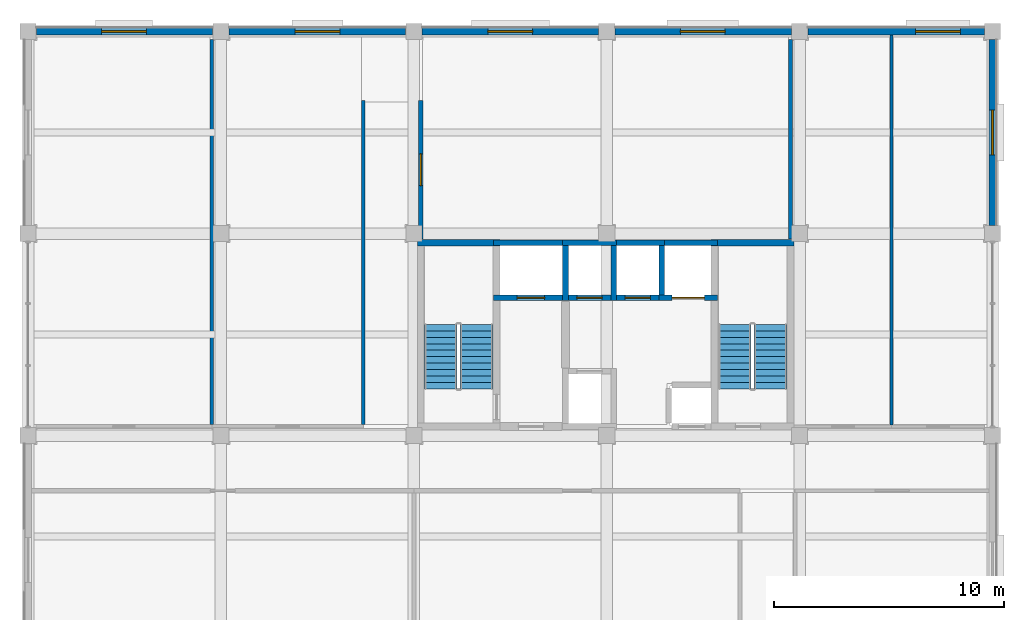
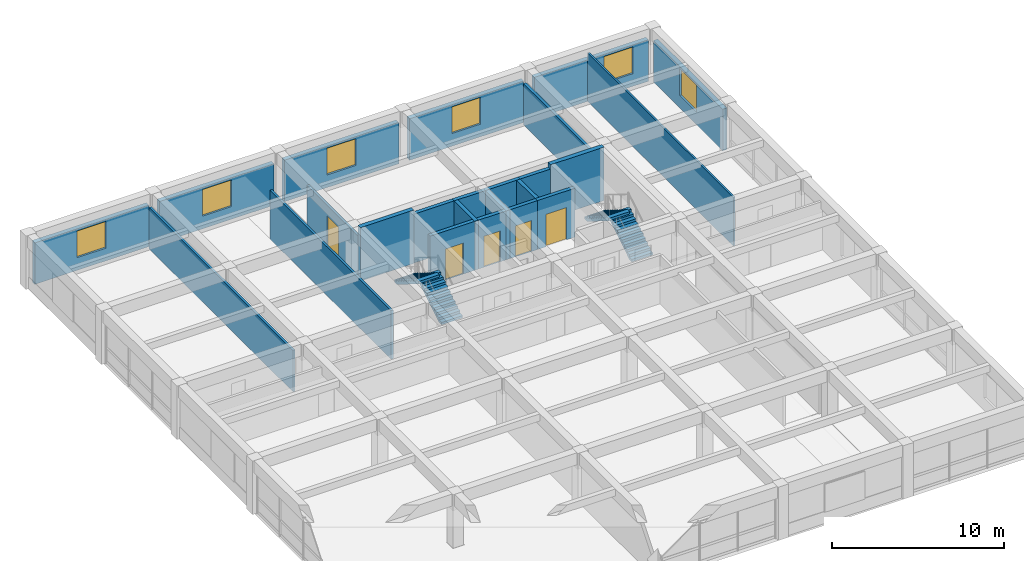
# One storey, part 9 of 12: 24 walls, 6 windows, 5 doors, 4 stair flights, 11 openings, 2 elements without a shape of their own.
"""IFC4 building model written with IfcOpenShell, lengths in metres."""

from ifc_helpers import new_model, si_unit, direction, frame, frame_2d, origin, place, context, subcontext, project, spatial, polyline, rectangle, outline, extrude, material, layer, layer_set, type_object, element, fill, aggregate, save


model = new_model("IFC4")

# Units and contexts
model_context = context("Model", 3, precision=1e-05, world=origin(), true_north=direction((0.0, 1.0)))
body_context = subcontext(model_context, "Body", "Model", "MODEL_VIEW")
ifc_project = project(units=[si_unit("LENGTHUNIT", "METRE"), si_unit("AREAUNIT", "SQUARE_METRE"), si_unit("VOLUMEUNIT", "CUBIC_METRE"), si_unit("PLANEANGLEUNIT", "RADIAN"), si_unit("MASSUNIT", "GRAM", prefix="KILO")], contexts=[model_context])

# Site, building, storey
site_placement = place(None, origin())
site = spatial("IfcSite", under=ifc_project, at=site_placement, CompositionType="ELEMENT")
building_placement = place(site_placement, origin())
building = spatial("IfcBuilding", under=site, at=building_placement, Name="Kemercrest Conservatory and Botanical Centre", CompositionType="ELEMENT")
storey_placement = place(building_placement, frame((0.0, 0.0, 21.0)))
storey = spatial("IfcBuildingStorey", under=building, at=storey_placement, Name="L05", CompositionType="ELEMENT", Elevation=21.0)

# Walls
ifc_material_1 = material(Name="Concrete C50/60", Category="concrete")
ifc_layer_1 = layer(ifc_material_1, 0.300048828125)
ifc_layer_set_1 = layer_set([ifc_layer_1], Name="Concrete C50/60")
wall_type_1 = type_object("IfcWallType", Name="CW-STAIR", PredefinedType="SHEAR", material=ifc_layer_set_1)
for number, where, z_axis, x_axis, name in (
    (1, (150.949951171875, 113.199951171875, 0.0), (0.0, 0.0, 1.0), (1.0, 0.0, 0.0), "Stair core ST-V4A shear wall N"),
    (2, (163.75, 113.199951171875, 0.0), (0.0, 0.0, 1.0), (1.0, 0.0, 0.0), "Stair core ST-V4B shear wall N"),
):
    element("IfcWall", number, at=place(storey_placement, frame(where, z_axis=z_axis, x_axis=x_axis)), inside=storey, type_object=wall_type_1, Name=name, PredefinedType="SHEAR", context=body_context, shape_type="SweptSolid", body=[
        extrude(rectangle(XDim=3.60009765625, YDim=0.300048828125, at=frame_2d((1.800048828125, 0.0))), origin(), (0.0, 0.0, 1.0), 3.800048828125),
    ])

# Wall, opening, window
ifc_material_2 = material(Name="Precast concrete C40/50", Category="concrete")
ifc_layer_2 = layer(ifc_material_2, 0.300048828125)
ifc_layer_set_2 = layer_set([ifc_layer_2], Name="Precast concrete C40/50")
wall_type_2 = type_object("IfcWallType", Name="W-EXT300", PredefinedType="SOLIDWALL", material=ifc_layer_set_2)
wall_1_placement = place(storey_placement, frame((176.0, 113.9599609375, 0.0), z_axis=(0.0, 0.0, 1.0), x_axis=(0.0, 1.0, 0.0)))
wall_1 = element("IfcWall", 3, at=wall_1_placement, inside=storey, type_object=wall_type_2, Name="Exterior almasik wall W-EXT300 (WAL:L05:EXT-241)", PredefinedType="SOLIDWALL", context=body_context, shape_type="SweptSolid", body=[
    extrude(rectangle(XDim=8.080078125, YDim=0.300048828125, at=frame_2d((4.0400390625, 0.0))), origin(), (0.0, 0.0, 1.0), 2.949951171875),
])
opening_1_placement = place(wall_1_placement, frame((3.06494140625, 0.0, 0.89990234375)))
opening_1 = element("IfcOpeningElement", 4, at=opening_1_placement, cuts=wall_1, Name="Opening WT-06", PredefinedType="OPENING", context=body_context, shape_type="SweptSolid", body=[
    extrude(rectangle(XDim=1.949951171875, YDim=1.89990234375, at=frame_2d((0.97509765625, 0.949951171875))), frame((0.0, 0.16015625, 0.0), z_axis=(0.0, -1.0, 0.0), x_axis=(1.0, 0.0, 0.0)), (0.0, 0.0, 1.0), 0.320068359375),
])
ifc_material_3 = material(Name="Thermally broken bronze-anodized aluminium and triple glazing", Category="aluminium")
window_type = type_object("IfcWindowType", Name="WT-06", PartitioningType="SINGLE_PANEL", PredefinedType="WINDOW", material=ifc_material_3)
window_1_placement = place(opening_1_placement, origin())
window_1 = element("IfcWindow", 5, at=window_1_placement, inside=storey, type_object=window_type, Name="Exterior window WT-06 (WIN:L05:EXT-241)", OverallHeight=1.89990234375, OverallWidth=1.949951171875, PartitioningType="SINGLE_PANEL", PredefinedType="WINDOW", context=body_context, shape_type="SweptSolid", body=[
    extrude(rectangle(XDim=1.949951171875, YDim=1.89990234375, at=frame_2d((0.97509765625, 0.949951171875))), frame((0.0, 0.030029296875, 0.0), z_axis=(0.0, -1.0, 0.0), x_axis=(1.0, 0.0, 0.0)), (0.0, 0.0, 1.0), 0.06005859375),
])
fill(opening_1, window_1)

wall_2_placement = place(storey_placement, frame((175.639892578125, 122.39990234375, 0.0), z_axis=(0.0, 0.0, 1.0), x_axis=(-1.0, 0.0, 0.0)))
wall_2 = element("IfcWall", 6, at=wall_2_placement, inside=storey, type_object=wall_type_2, Name="Exterior almasik wall W-EXT300 (WAL:L05:EXT-242)", PredefinedType="SOLIDWALL", context=body_context, shape_type="SweptSolid", body=[
    extrude(rectangle(XDim=7.679931640625, YDim=0.300048828125, at=frame_2d((3.83984375, 0.0))), origin(), (0.0, 0.0, 1.0), 2.949951171875),
])
opening_2_placement = place(wall_2_placement, frame((1.044921875, 0.0, 0.89990234375)))
opening_2 = element("IfcOpeningElement", 7, at=opening_2_placement, cuts=wall_2, Name="Opening WT-06", PredefinedType="OPENING", context=body_context, shape_type="SweptSolid", body=[
    extrude(rectangle(XDim=1.949951171875, YDim=1.89990234375, at=frame_2d((0.97509765625, 0.949951171875))), frame((0.0, 0.16015625, 0.0), z_axis=(0.0, -1.0, 0.0), x_axis=(1.0, 0.0, 0.0)), (0.0, 0.0, 1.0), 0.320068359375),
])
window_2_placement = place(opening_2_placement, origin())
window_2 = element("IfcWindow", 8, at=window_2_placement, inside=storey, type_object=window_type, Name="Exterior window WT-06 (WIN:L05:EXT-242)", OverallHeight=1.89990234375, OverallWidth=1.949951171875, PartitioningType="SINGLE_PANEL", PredefinedType="WINDOW", context=body_context, shape_type="SweptSolid", body=[
    extrude(rectangle(XDim=1.949951171875, YDim=1.89990234375, at=frame_2d((0.97509765625, 0.949951171875))), frame((0.0, 0.030029296875, 0.0), z_axis=(0.0, -1.0, 0.0), x_axis=(1.0, 0.0, 0.0)), (0.0, 0.0, 1.0), 0.06005859375),
])
fill(opening_2, window_2)

wall_3_placement = place(storey_placement, frame((167.239990234375, 122.39990234375, 0.0), z_axis=(0.0, 0.0, 1.0), x_axis=(-1.0, 0.0, 0.0)))
wall_3 = element("IfcWall", 9, at=wall_3_placement, inside=storey, type_object=wall_type_2, Name="Exterior almasik wall W-EXT300 (WAL:L05:EXT-243)", PredefinedType="SOLIDWALL", context=body_context, shape_type="SweptSolid", body=[
    extrude(rectangle(XDim=7.679931640625, YDim=0.300048828125, at=frame_2d((3.83984375, 0.0))), origin(), (0.0, 0.0, 1.0), 2.949951171875),
])
opening_3_placement = place(wall_3_placement, frame((2.885009765625, 0.0, 0.89990234375)))
opening_3 = element("IfcOpeningElement", 10, at=opening_3_placement, cuts=wall_3, Name="Opening WT-06", PredefinedType="OPENING", context=body_context, shape_type="SweptSolid", body=[
    extrude(rectangle(XDim=1.949951171875, YDim=1.89990234375, at=frame_2d((0.97509765625, 0.949951171875))), frame((0.0, 0.16015625, 0.0), z_axis=(0.0, -1.0, 0.0), x_axis=(1.0, 0.0, 0.0)), (0.0, 0.0, 1.0), 0.320068359375),
])
window_3_placement = place(opening_3_placement, origin())
window_3 = element("IfcWindow", 11, at=window_3_placement, inside=storey, type_object=window_type, Name="Exterior window WT-06 (WIN:L05:EXT-243)", OverallHeight=1.89990234375, OverallWidth=1.949951171875, PartitioningType="SINGLE_PANEL", PredefinedType="WINDOW", context=body_context, shape_type="SweptSolid", body=[
    extrude(rectangle(XDim=1.949951171875, YDim=1.89990234375, at=frame_2d((0.97509765625, 0.949951171875))), frame((0.0, 0.030029296875, 0.0), z_axis=(0.0, -1.0, 0.0), x_axis=(1.0, 0.0, 0.0)), (0.0, 0.0, 1.0), 0.06005859375),
])
fill(opening_3, window_3)

wall_4_placement = place(storey_placement, frame((158.840087890625, 122.39990234375, 0.0), z_axis=(0.0, 0.0, 1.0), x_axis=(-1.0, 0.0, 0.0)))
wall_4 = element("IfcWall", 12, at=wall_4_placement, inside=storey, type_object=wall_type_2, Name="Exterior almasik wall W-EXT300 (WAL:L05:EXT-244)", PredefinedType="SOLIDWALL", context=body_context, shape_type="SweptSolid", body=[
    extrude(rectangle(XDim=7.68017578125, YDim=0.300048828125, at=frame_2d((3.840087890625, 0.0))), origin(), (0.0, 0.0, 1.0), 2.949951171875),
])
opening_4_placement = place(wall_4_placement, frame((2.864990234375, 0.0, 0.89990234375)))
opening_4 = element("IfcOpeningElement", 13, at=opening_4_placement, cuts=wall_4, Name="Opening WT-06", PredefinedType="OPENING", context=body_context, shape_type="SweptSolid", body=[
    extrude(rectangle(XDim=1.949951171875, YDim=1.89990234375, at=frame_2d((0.97509765625, 0.949951171875))), frame((0.0, 0.16015625, 0.0), z_axis=(0.0, -1.0, 0.0), x_axis=(1.0, 0.0, 0.0)), (0.0, 0.0, 1.0), 0.320068359375),
])
window_4_placement = place(opening_4_placement, origin())
window_4 = element("IfcWindow", 14, at=window_4_placement, inside=storey, type_object=window_type, Name="Exterior window WT-06 (WIN:L05:EXT-244)", OverallHeight=1.89990234375, OverallWidth=1.949951171875, PartitioningType="SINGLE_PANEL", PredefinedType="WINDOW", context=body_context, shape_type="SweptSolid", body=[
    extrude(rectangle(XDim=1.949951171875, YDim=1.89990234375, at=frame_2d((0.97509765625, 0.949951171875))), frame((0.0, 0.030029296875, 0.0), z_axis=(0.0, -1.0, 0.0), x_axis=(1.0, 0.0, 0.0)), (0.0, 0.0, 1.0), 0.06005859375),
])
fill(opening_4, window_4)

wall_5_placement = place(storey_placement, frame((150.43994140625, 122.39990234375, 0.0), z_axis=(0.0, 0.0, 1.0), x_axis=(-1.0, 0.0, 0.0)))
wall_5 = element("IfcWall", 15, at=wall_5_placement, inside=storey, type_object=wall_type_2, Name="Exterior almasik wall W-EXT300 (WAL:L05:EXT-245)", PredefinedType="SOLIDWALL", context=body_context, shape_type="SweptSolid", body=[
    extrude(rectangle(XDim=7.679931640625, YDim=0.300048828125, at=frame_2d((3.83984375, 0.0))), origin(), (0.0, 0.0, 1.0), 2.949951171875),
])
opening_5_placement = place(wall_5_placement, frame((2.864990234375, 0.0, 0.89990234375)))
opening_5 = element("IfcOpeningElement", 16, at=opening_5_placement, cuts=wall_5, Name="Opening WT-06", PredefinedType="OPENING", context=body_context, shape_type="SweptSolid", body=[
    extrude(rectangle(XDim=1.949951171875, YDim=1.89990234375, at=frame_2d((0.97509765625, 0.949951171875))), frame((0.0, 0.16015625, 0.0), z_axis=(0.0, -1.0, 0.0), x_axis=(1.0, 0.0, 0.0)), (0.0, 0.0, 1.0), 0.320068359375),
])
window_5_placement = place(opening_5_placement, origin())
window_5 = element("IfcWindow", 17, at=window_5_placement, inside=storey, type_object=window_type, Name="Exterior window WT-06 (WIN:L05:EXT-245)", OverallHeight=1.89990234375, OverallWidth=1.949951171875, PartitioningType="SINGLE_PANEL", PredefinedType="WINDOW", context=body_context, shape_type="SweptSolid", body=[
    extrude(rectangle(XDim=1.949951171875, YDim=1.89990234375, at=frame_2d((0.97509765625, 0.949951171875))), frame((0.0, 0.030029296875, 0.0), z_axis=(0.0, -1.0, 0.0), x_axis=(1.0, 0.0, 0.0)), (0.0, 0.0, 1.0), 0.06005859375),
])
fill(opening_5, window_5)

wall_6_placement = place(storey_placement, frame((142.0400390625, 122.39990234375, 0.0), z_axis=(0.0, 0.0, 1.0), x_axis=(-1.0, 0.0, 0.0)))
wall_6 = element("IfcWall", 18, at=wall_6_placement, inside=storey, type_object=wall_type_2, Name="Exterior almasik wall W-EXT300 (WAL:L05:EXT-246)", PredefinedType="SOLIDWALL", context=body_context, shape_type="SweptSolid", body=[
    extrude(rectangle(XDim=7.679931640625, YDim=0.300048828125, at=frame_2d((3.83984375, 0.0))), origin(), (0.0, 0.0, 1.0), 2.949951171875),
])
opening_6_placement = place(wall_6_placement, frame((2.885009765625, 0.0, 0.89990234375)))
opening_6 = element("IfcOpeningElement", 19, at=opening_6_placement, cuts=wall_6, Name="Opening WT-06", PredefinedType="OPENING", context=body_context, shape_type="SweptSolid", body=[
    extrude(rectangle(XDim=1.949951171875, YDim=1.89990234375, at=frame_2d((0.97509765625, 0.949951171875))), frame((0.0, 0.16015625, 0.0), z_axis=(0.0, -1.0, 0.0), x_axis=(1.0, 0.0, 0.0)), (0.0, 0.0, 1.0), 0.320068359375),
])
window_6_placement = place(opening_6_placement, origin())
window_6 = element("IfcWindow", 20, at=window_6_placement, inside=storey, type_object=window_type, Name="Exterior window WT-06 (WIN:L05:EXT-246)", OverallHeight=1.89990234375, OverallWidth=1.949951171875, PartitioningType="SINGLE_PANEL", PredefinedType="WINDOW", context=body_context, shape_type="SweptSolid", body=[
    extrude(rectangle(XDim=1.949951171875, YDim=1.89990234375, at=frame_2d((0.97509765625, 0.949951171875))), frame((0.0, 0.030029296875, 0.0), z_axis=(0.0, -1.0, 0.0), x_axis=(1.0, 0.0, 0.0)), (0.0, 0.0, 1.0), 0.06005859375),
])
fill(opening_6, window_6)

# Walls
ifc_material_4 = material(Name="Moisture-resistant gypsum board partition", Category="gypsum")
ifc_layer_3 = layer(ifc_material_4, 0.125)
ifc_layer_set_3 = layer_set([ifc_layer_3], Name="Moisture-resistant gypsum board partition")
wall_type_3 = type_object("IfcWallType", Name="W-PART125", PredefinedType="PARTITIONING", material=ifc_layer_set_3)
wall_7_placement = place(storey_placement, frame((171.60009765625, 105.267578125, 0.0), z_axis=(0.0, 0.0, 1.0), x_axis=(0.0, 1.0, 0.0)))
element("IfcWall", 21, at=wall_7_placement, inside=storey, type_object=wall_type_3, Name="Interior partition W-PART125 #189", PredefinedType="PARTITIONING", context=body_context, shape_type="SweptSolid", body=[
    extrude(rectangle(XDim=16.9775390625, YDim=0.125, at=frame_2d((8.48876953125, 0.0))), origin(), (0.0, 0.0, 1.0), 3.465087890625),
])
ifc_material_5 = material(Name="Steel-stud gypsum board partition", Category="steel")
ifc_layer_4 = layer(ifc_material_5, 0.14990234375)
ifc_layer_set_4 = layer_set([ifc_layer_4], Name="Steel-stud gypsum board partition")
wall_type_4 = type_object("IfcWallType", Name="W-PART150", PredefinedType="PARTITIONING", material=ifc_layer_set_4)
wall_8_placement = place(storey_placement, frame((148.60009765625, 105.280029296875, 0.0), z_axis=(0.0, 0.0, 1.0), x_axis=(0.0, 1.0, 0.0)))
element("IfcWall", 22, at=wall_8_placement, inside=storey, type_object=wall_type_4, Name="Interior partition W-PART150 #184", PredefinedType="PARTITIONING", context=body_context, shape_type="SweptSolid", body=[
    extrude(rectangle(XDim=14.119873046875, YDim=0.14990234375, at=frame_2d((7.06005859375, 0.0))), origin(), (0.0, 0.0, 1.0), 3.465087890625),
])
wall_9_placement = place(storey_placement, frame((142.0, 105.280029296875, 0.0), z_axis=(0.0, 0.0, 1.0), x_axis=(0.0, 1.0, 0.0)))
element("IfcWall", 23, at=wall_9_placement, inside=storey, type_object=wall_type_4, Name="Interior partition W-PART150 #187", PredefinedType="PARTITIONING", context=body_context, shape_type="SweptSolid", body=[
    extrude(rectangle(XDim=16.77001953125, YDim=0.14990234375, at=frame_2d((8.385009765625, 0.0))), origin(), (0.0, 0.0, 1.0), 2.945068359375),
])

# Wall, opening, door
ifc_material_6 = material(Name="Acoustic steel-stud gypsum board assembly", Category="steel")
ifc_layer_5 = layer(ifc_material_6, 0.179931640625)
ifc_layer_set_5 = layer_set([ifc_layer_5], Name="Acoustic steel-stud gypsum board assembly")
wall_type_5 = type_object("IfcWallType", Name="W-PART180", PredefinedType="PARTITIONING", material=ifc_layer_set_5)
wall_10_placement = place(storey_placement, frame((151.10009765625, 113.35498046875, 0.0), z_axis=(0.0, 0.0, 1.0), x_axis=(0.0, 1.0, 0.0)))
wall_10 = element("IfcWall", 24, at=wall_10_placement, inside=storey, type_object=wall_type_5, Name="Interior partition W-PART180 #185", PredefinedType="PARTITIONING", context=body_context, shape_type="SweptSolid", body=[
    extrude(rectangle(XDim=6.044921875, YDim=0.179931640625, at=frame_2d((3.0224609375, 0.0))), origin(), (0.0, 0.0, 1.0), 2.945068359375),
])
opening_7_placement = place(wall_10_placement, frame((2.33251953125, 0.0, 0.0)))
opening_7 = element("IfcOpeningElement", 25, at=opening_7_placement, cuts=wall_10, Name="Opening D212", PredefinedType="OPENING", context=body_context, shape_type="SweptSolid", body=[
    extrude(rectangle(XDim=1.3798828125, YDim=2.199951171875, at=frame_2d((0.68994140625, 1.10009765625))), frame((0.0, 0.10009765625, 0.0), z_axis=(0.0, -1.0, 0.0), x_axis=(1.0, 0.0, 0.0)), (0.0, 0.0, 1.0), 0.199951171875),
])
ifc_material_7 = material(Name="FSC solid-core white oak veneer and anodized aluminium frame", Category="aluminium")
door_type_1 = type_object("IfcDoorType", Name="DT-08", OperationType="DOUBLE_DOOR_SINGLE_SWING", PredefinedType="DOOR", material=ifc_material_7)
door_1_placement = place(opening_7_placement, origin())
door_1 = element("IfcDoor", 26, at=door_1_placement, inside=storey, type_object=door_type_1, Name="Autoclave and Media Laboratory door D212", OperationType="DOUBLE_DOOR_SINGLE_SWING", OverallHeight=2.199951171875, OverallWidth=1.3798828125, PredefinedType="DOOR", context=body_context, shape_type="SweptSolid", body=[
    extrude(rectangle(XDim=1.3798828125, YDim=2.199951171875, at=frame_2d((0.68994140625, 1.10009765625))), frame((0.0, 0.02490234375, 0.0), z_axis=(0.0, -1.0, 0.0), x_axis=(1.0, 0.0, 0.0)), (0.0, 0.0, 1.0), 0.050048828125),
])
fill(opening_7, door_1)

# Wall
wall_11_placement = place(storey_placement, frame((167.199951171875, 113.35498046875, 0.0), z_axis=(0.0, 0.0, 1.0), x_axis=(0.0, 1.0, 0.0)))
element("IfcWall", 27, at=wall_11_placement, inside=storey, type_object=wall_type_5, Name="Interior partition W-PART180 #188", PredefinedType="PARTITIONING", context=body_context, shape_type="SweptSolid", body=[
    extrude(rectangle(XDim=8.695068359375, YDim=0.179931640625, at=frame_2d((4.34765625, 0.0))), origin(), (0.0, 0.0, 1.0), 2.945068359375),
])

# Wall, opening, door
ifc_material_8 = material(Name="Concrete C40/50", Category="concrete")
ifc_layer_6 = layer(ifc_material_8, 0.25)
ifc_layer_set_6 = layer_set([ifc_layer_6], Name="Concrete C40/50")
wall_type_6 = type_object("IfcWallType", Name="W-SHFT250", PredefinedType="SOLIDWALL", material=ifc_layer_set_6)
wall_12_placement = place(storey_placement, frame((154.27490234375, 110.800048828125, 0.0), z_axis=(0.0, 0.0, 1.0), x_axis=(1.0, 0.0, 0.0)))
wall_12 = element("IfcWall", 28, at=wall_12_placement, inside=storey, type_object=wall_type_6, Name="Elevator LF-FF1 shaft wall south", PredefinedType="SOLIDWALL", context=body_context, shape_type="SweptSolid", body=[
    extrude(rectangle(XDim=3.25, YDim=0.25, at=frame_2d((1.625, 0.0))), origin(), (0.0, 0.0, 1.0), 3.47998046875),
])
opening_8_placement = place(wall_12_placement, frame((1.02490234375, 0.0, 0.0)))
opening_8 = element("IfcOpeningElement", 29, at=opening_8_placement, cuts=wall_12, Name="Opening LD-007", PredefinedType="OPENING", context=body_context, shape_type="SweptSolid", body=[
    extrude(rectangle(XDim=1.199951171875, YDim=2.199951171875, at=frame_2d((0.60009765625, 1.10009765625))), frame((0.0, 0.135009765625, 0.0), z_axis=(0.0, -1.0, 0.0), x_axis=(1.0, 0.0, 0.0)), (0.0, 0.0, 1.0), 0.27001953125),
])
ifc_material_9 = material(Name="Powder-coated galvanized steel and fire-rated vision glass", Category="steel")
door_type_2 = type_object("IfcDoorType", Name="DT-LD02", OperationType="SLIDING_TO_LEFT", PredefinedType="DOOR", material=ifc_material_9)
door_2_placement = place(opening_8_placement, origin())
door_2 = element("IfcDoor", 30, at=door_2_placement, inside=storey, type_object=door_type_2, Name="Elevator LF-FF1 sliding landing door LD-007", OperationType="SLIDING_TO_LEFT", OverallHeight=2.199951171875, OverallWidth=1.199951171875, PredefinedType="DOOR", context=body_context, shape_type="SweptSolid", body=[
    extrude(rectangle(XDim=1.199951171875, YDim=2.199951171875, at=frame_2d((0.60009765625, 1.10009765625))), frame((0.0, 0.02490234375, 0.0), z_axis=(0.0, -1.0, 0.0), x_axis=(1.0, 0.0, 0.0)), (0.0, 0.0, 1.0), 0.050048828125),
])
fill(opening_8, door_2)

# Walls
wall_13_placement = place(storey_placement, frame((154.27490234375, 113.199951171875, 0.0), z_axis=(0.0, 0.0, 1.0), x_axis=(1.0, 0.0, 0.0)))
element("IfcWall", 31, at=wall_13_placement, inside=storey, type_object=wall_type_6, Name="Elevator LF-FF1 shaft wall north", PredefinedType="SOLIDWALL", context=body_context, shape_type="SweptSolid", body=[
    extrude(rectangle(XDim=3.25, YDim=0.25, at=frame_2d((1.625, 0.0))), origin(), (0.0, 0.0, 1.0), 3.47998046875),
])
wall_14_placement = place(storey_placement, frame((157.39990234375, 110.675048828125, 0.0), z_axis=(0.0, 0.0, 1.0), x_axis=(0.0, 1.0, 0.0)))
element("IfcWall", 32, at=wall_14_placement, inside=storey, type_object=wall_type_6, Name="Elevator LF-FF1 shaft wall east", PredefinedType="SOLIDWALL", context=body_context, shape_type="SweptSolid", body=[
    extrude(rectangle(XDim=2.64990234375, YDim=0.25, at=frame_2d((1.324951171875, 0.0))), origin(), (0.0, 0.0, 1.0), 3.47998046875),
])

# Wall, opening, door
wall_15_placement = place(storey_placement, frame((157.27490234375, 110.800048828125, 0.0), z_axis=(0.0, 0.0, 1.0), x_axis=(1.0, 0.0, 0.0)))
wall_15 = element("IfcWall", 33, at=wall_15_placement, inside=storey, type_object=wall_type_6, Name="Elevator LF-P1 shaft wall south", PredefinedType="SOLIDWALL", context=body_context, shape_type="SweptSolid", body=[
    extrude(rectangle(XDim=2.35009765625, YDim=0.25, at=frame_2d((1.175048828125, 0.0))), origin(), (0.0, 0.0, 1.0), 3.47998046875),
])
opening_9_placement = place(wall_15_placement, frame((0.625, 0.0, 0.0)))
opening_9 = element("IfcOpeningElement", 34, at=opening_9_placement, cuts=wall_15, Name="Opening LD-026", PredefinedType="OPENING", context=body_context, shape_type="SweptSolid", body=[
    extrude(rectangle(XDim=1.10009765625, YDim=2.199951171875, at=frame_2d((0.550048828125, 1.10009765625))), frame((0.0, 0.135009765625, 0.0), z_axis=(0.0, -1.0, 0.0), x_axis=(1.0, 0.0, 0.0)), (0.0, 0.0, 1.0), 0.27001953125),
])
door_type_3 = type_object("IfcDoorType", Name="DT-LD01", OperationType="SLIDING_TO_LEFT", PredefinedType="DOOR", material=ifc_material_9)
door_3_placement = place(opening_9_placement, origin())
door_3 = element("IfcDoor", 35, at=door_3_placement, inside=storey, type_object=door_type_3, Name="Elevator LF-P1 sliding landing door LD-026", OperationType="SLIDING_TO_LEFT", OverallHeight=2.199951171875, OverallWidth=1.10009765625, PredefinedType="DOOR", context=body_context, shape_type="SweptSolid", body=[
    extrude(rectangle(XDim=1.10009765625, YDim=2.199951171875, at=frame_2d((0.550048828125, 1.10009765625))), frame((0.0, 0.02490234375, 0.0), z_axis=(0.0, -1.0, 0.0), x_axis=(1.0, 0.0, 0.0)), (0.0, 0.0, 1.0), 0.050048828125),
])
fill(opening_9, door_3)

# Walls
wall_16_placement = place(storey_placement, frame((157.27490234375, 113.199951171875, 0.0), z_axis=(0.0, 0.0, 1.0), x_axis=(1.0, 0.0, 0.0)))
element("IfcWall", 36, at=wall_16_placement, inside=storey, type_object=wall_type_6, Name="Elevator LF-P1 shaft wall north", PredefinedType="SOLIDWALL", context=body_context, shape_type="SweptSolid", body=[
    extrude(rectangle(XDim=2.35009765625, YDim=0.25, at=frame_2d((1.175048828125, 0.0))), origin(), (0.0, 0.0, 1.0), 3.47998046875),
])
wall_17_placement = place(storey_placement, frame((159.5, 110.675048828125, 0.0), z_axis=(0.0, 0.0, 1.0), x_axis=(0.0, 1.0, 0.0)))
element("IfcWall", 37, at=wall_17_placement, inside=storey, type_object=wall_type_6, Name="Elevator LF-P1 shaft wall east", PredefinedType="SOLIDWALL", context=body_context, shape_type="SweptSolid", body=[
    extrude(rectangle(XDim=2.64990234375, YDim=0.25, at=frame_2d((1.324951171875, 0.0))), origin(), (0.0, 0.0, 1.0), 3.47998046875),
])

# Wall, opening, door
wall_18_placement = place(storey_placement, frame((159.375, 110.800048828125, 0.0), z_axis=(0.0, 0.0, 1.0), x_axis=(1.0, 0.0, 0.0)))
wall_18 = element("IfcWall", 38, at=wall_18_placement, inside=storey, type_object=wall_type_6, Name="Elevator LF-P2 shaft wall south", PredefinedType="SOLIDWALL", context=body_context, shape_type="SweptSolid", body=[
    extrude(rectangle(XDim=2.35009765625, YDim=0.25, at=frame_2d((1.175048828125, 0.0))), origin(), (0.0, 0.0, 1.0), 3.47998046875),
])
opening_10_placement = place(wall_18_placement, frame((0.625, 0.0, 0.0)))
opening_10 = element("IfcOpeningElement", 39, at=opening_10_placement, cuts=wall_18, Name="Opening LD-045", PredefinedType="OPENING", context=body_context, shape_type="SweptSolid", body=[
    extrude(rectangle(XDim=1.10009765625, YDim=2.199951171875, at=frame_2d((0.550048828125, 1.10009765625))), frame((0.0, 0.135009765625, 0.0), z_axis=(0.0, -1.0, 0.0), x_axis=(1.0, 0.0, 0.0)), (0.0, 0.0, 1.0), 0.27001953125),
])
door_4_placement = place(opening_10_placement, origin())
door_4 = element("IfcDoor", 40, at=door_4_placement, inside=storey, type_object=door_type_3, Name="Elevator LF-P2 sliding landing door LD-045", OperationType="SLIDING_TO_LEFT", OverallHeight=2.199951171875, OverallWidth=1.10009765625, PredefinedType="DOOR", context=body_context, shape_type="SweptSolid", body=[
    extrude(rectangle(XDim=1.10009765625, YDim=2.199951171875, at=frame_2d((0.550048828125, 1.10009765625))), frame((0.0, 0.02490234375, 0.0), z_axis=(0.0, -1.0, 0.0), x_axis=(1.0, 0.0, 0.0)), (0.0, 0.0, 1.0), 0.050048828125),
])
fill(opening_10, door_4)

# Walls
wall_19_placement = place(storey_placement, frame((159.375, 113.199951171875, 0.0), z_axis=(0.0, 0.0, 1.0), x_axis=(1.0, 0.0, 0.0)))
element("IfcWall", 41, at=wall_19_placement, inside=storey, type_object=wall_type_6, Name="Elevator LF-P2 shaft wall north", PredefinedType="SOLIDWALL", context=body_context, shape_type="SweptSolid", body=[
    extrude(rectangle(XDim=2.35009765625, YDim=0.25, at=frame_2d((1.175048828125, 0.0))), origin(), (0.0, 0.0, 1.0), 3.47998046875),
])
wall_20_placement = place(storey_placement, frame((161.60009765625, 110.675048828125, 0.0), z_axis=(0.0, 0.0, 1.0), x_axis=(0.0, 1.0, 0.0)))
element("IfcWall", 42, at=wall_20_placement, inside=storey, type_object=wall_type_6, Name="Elevator LF-P2 shaft wall east", PredefinedType="SOLIDWALL", context=body_context, shape_type="SweptSolid", body=[
    extrude(rectangle(XDim=2.64990234375, YDim=0.25, at=frame_2d((1.324951171875, 0.0))), origin(), (0.0, 0.0, 1.0), 3.47998046875),
])

# Wall, opening, door
wall_21_placement = place(storey_placement, frame((161.47509765625, 110.800048828125, 0.0), z_axis=(0.0, 0.0, 1.0), x_axis=(1.0, 0.0, 0.0)))
wall_21 = element("IfcWall", 43, at=wall_21_placement, inside=storey, type_object=wall_type_6, Name="Elevator LF-G1 shaft wall south", PredefinedType="SOLIDWALL", context=body_context, shape_type="SweptSolid", body=[
    extrude(rectangle(XDim=2.5498046875, YDim=0.25, at=frame_2d((1.27490234375, 0.0))), origin(), (0.0, 0.0, 1.0), 3.47998046875),
])
opening_11_placement = place(wall_21_placement, frame((0.574951171875, 0.0, 0.0)))
opening_11 = element("IfcOpeningElement", 44, at=opening_11_placement, cuts=wall_21, Name="Opening LD-081", PredefinedType="OPENING", context=body_context, shape_type="SweptSolid", body=[
    extrude(rectangle(XDim=1.39990234375, YDim=2.300048828125, at=frame_2d((0.699951171875, 1.14990234375))), frame((0.0, 0.135009765625, 0.0), z_axis=(0.0, -1.0, 0.0), x_axis=(1.0, 0.0, 0.0)), (0.0, 0.0, 1.0), 0.27001953125),
])
door_type_4 = type_object("IfcDoorType", Name="DT-LD03", OperationType="SLIDING_TO_LEFT", PredefinedType="DOOR", material=ifc_material_9)
door_5_placement = place(opening_11_placement, origin())
door_5 = element("IfcDoor", 45, at=door_5_placement, inside=storey, type_object=door_type_4, Name="Elevator LF-G1 sliding landing door LD-081", OperationType="SLIDING_TO_LEFT", OverallHeight=2.300048828125, OverallWidth=1.39990234375, PredefinedType="DOOR", context=body_context, shape_type="SweptSolid", body=[
    extrude(rectangle(XDim=1.39990234375, YDim=2.300048828125, at=frame_2d((0.699951171875, 1.14990234375))), frame((0.0, 0.02490234375, 0.0), z_axis=(0.0, -1.0, 0.0), x_axis=(1.0, 0.0, 0.0)), (0.0, 0.0, 1.0), 0.050048828125),
])
fill(opening_11, door_5)

# Wall
wall_22_placement = place(storey_placement, frame((161.47509765625, 113.199951171875, 0.0), z_axis=(0.0, 0.0, 1.0), x_axis=(1.0, 0.0, 0.0)))
element("IfcWall", 46, at=wall_22_placement, inside=storey, type_object=wall_type_6, Name="Elevator LF-G1 shaft wall north", PredefinedType="SOLIDWALL", context=body_context, shape_type="SweptSolid", body=[
    extrude(rectangle(XDim=2.5498046875, YDim=0.25, at=frame_2d((1.27490234375, 0.0))), origin(), (0.0, 0.0, 1.0), 3.47998046875),
])

# Stair, stair flights
stair_type = type_object("IfcStairType", Name="ST-142-38", PredefinedType="HALF_TURN_STAIR", material=ifc_material_8)
stair_1_placement = place(storey_placement, origin())
stair_1 = element("IfcStair", 47, at=stair_1_placement, inside=storey, type_object=stair_type, Name="L05 Exit stair ST-V4A", PredefinedType="HALF_TURN_STAIR")
stair_flight_type = type_object("IfcStairFlightType", Name="FL-142-38", PredefinedType="STRAIGHT", material=ifc_material_8)
stair_flight_1_placement = place(storey_placement, frame((153.530029296875, 106.840087890625, 0.0), z_axis=(0.0, 0.0, 1.0), x_axis=(0.0, 1.0, 0.0)))
stair_flight_1 = element("IfcStairFlight", 48, at=stair_flight_1_placement, type_object=stair_flight_type, Name="ST-V4A flight 1", NumberOfRisers=11, NumberOfTreads=10, PredefinedType="STRAIGHT", RiserHeight=0.172727273, TreadLength=0.28, context=body_context, shape_type="SweptSolid", body=[
    extrude(outline(polyline([(0.0, 0.0), (0.0, 0.172607421875), (0.280029296875, 0.172607421875), (0.280029296875, 0.345458984375), (0.56005859375, 0.345458984375), (0.56005859375, 0.51806640625), (0.840087890625, 0.51806640625), (0.840087890625, 0.69091796875), (1.1201171875, 0.69091796875), (1.1201171875, 0.863525390625), (1.39990234375, 0.863525390625), (1.39990234375, 1.036376953125), (1.679931640625, 1.036376953125), (1.679931640625, 1.208984375), (1.9599609375, 1.208984375), (1.9599609375, 1.3818359375), (2.239990234375, 1.3818359375), (2.239990234375, 1.554443359375), (2.52001953125, 1.554443359375), (2.52001953125, 1.727294921875), (2.800048828125, 1.727294921875), (2.800048828125, 1.89990234375), (2.800048828125, 1.551025390625), (0.285400390625, 0.0), (0.0, 0.0)])), frame((0.0, 0.7099609375, 0.0), z_axis=(0.0, -1.0, 0.0), x_axis=(1.0, 0.0, 0.0)), (0.0, 0.0, 1.0), 1.419921875),
])
stair_flight_2_placement = place(storey_placement, frame((151.969970703125, 109.639892578125, 1.89990234375), z_axis=(0.0, 0.0, 1.0), x_axis=(0.0, -1.0, 0.0)))
stair_flight_2 = element("IfcStairFlight", 49, at=stair_flight_2_placement, type_object=stair_flight_type, Name="ST-V4A flight 2", NumberOfRisers=11, NumberOfTreads=10, PredefinedType="STRAIGHT", RiserHeight=0.172727273, TreadLength=0.28, context=body_context, shape_type="SweptSolid", body=[
    extrude(outline(polyline([(0.0, 0.0), (0.0, 0.172607421875), (0.280029296875, 0.172607421875), (0.280029296875, 0.345458984375), (0.56005859375, 0.345458984375), (0.56005859375, 0.51806640625), (0.840087890625, 0.51806640625), (0.840087890625, 0.69091796875), (1.1201171875, 0.69091796875), (1.1201171875, 0.863525390625), (1.39990234375, 0.863525390625), (1.39990234375, 1.036376953125), (1.679931640625, 1.036376953125), (1.679931640625, 1.208984375), (1.9599609375, 1.208984375), (1.9599609375, 1.3818359375), (2.239990234375, 1.3818359375), (2.239990234375, 1.554443359375), (2.52001953125, 1.554443359375), (2.52001953125, 1.727294921875), (2.800048828125, 1.727294921875), (2.800048828125, 1.89990234375), (2.800048828125, 1.551025390625), (0.285400390625, 0.0), (0.0, 0.0)])), frame((0.0, 0.7099609375, 0.0), z_axis=(0.0, -1.0, 0.0), x_axis=(1.0, 0.0, 0.0)), (0.0, 0.0, 1.0), 1.419921875),
])
aggregate(stair_1, [stair_flight_1, stair_flight_2])

stair_2_placement = place(storey_placement, origin())
stair_2 = element("IfcStair", 50, at=stair_2_placement, inside=storey, type_object=stair_type, Name="L05 Exit stair ST-V4B", PredefinedType="HALF_TURN_STAIR")
stair_flight_3_placement = place(storey_placement, frame((166.330078125, 106.840087890625, 0.0), z_axis=(0.0, 0.0, 1.0), x_axis=(0.0, 1.0, 0.0)))
stair_flight_3 = element("IfcStairFlight", 51, at=stair_flight_3_placement, type_object=stair_flight_type, Name="ST-V4B flight 1", NumberOfRisers=11, NumberOfTreads=10, PredefinedType="STRAIGHT", RiserHeight=0.172727273, TreadLength=0.28, context=body_context, shape_type="SweptSolid", body=[
    extrude(outline(polyline([(0.0, 0.0), (0.0, 0.172607421875), (0.280029296875, 0.172607421875), (0.280029296875, 0.345458984375), (0.56005859375, 0.345458984375), (0.56005859375, 0.51806640625), (0.840087890625, 0.51806640625), (0.840087890625, 0.69091796875), (1.1201171875, 0.69091796875), (1.1201171875, 0.863525390625), (1.39990234375, 0.863525390625), (1.39990234375, 1.036376953125), (1.679931640625, 1.036376953125), (1.679931640625, 1.208984375), (1.9599609375, 1.208984375), (1.9599609375, 1.3818359375), (2.239990234375, 1.3818359375), (2.239990234375, 1.554443359375), (2.52001953125, 1.554443359375), (2.52001953125, 1.727294921875), (2.800048828125, 1.727294921875), (2.800048828125, 1.89990234375), (2.800048828125, 1.551025390625), (0.285400390625, 0.0), (0.0, 0.0)])), frame((0.0, 0.7099609375, 0.0), z_axis=(0.0, -1.0, 0.0), x_axis=(1.0, 0.0, 0.0)), (0.0, 0.0, 1.0), 1.419921875),
])
stair_flight_4_placement = place(storey_placement, frame((164.77001953125, 109.639892578125, 1.89990234375), z_axis=(0.0, 0.0, 1.0), x_axis=(0.0, -1.0, 0.0)))
stair_flight_4 = element("IfcStairFlight", 52, at=stair_flight_4_placement, type_object=stair_flight_type, Name="ST-V4B flight 2", NumberOfRisers=11, NumberOfTreads=10, PredefinedType="STRAIGHT", RiserHeight=0.172727273, TreadLength=0.28, context=body_context, shape_type="SweptSolid", body=[
    extrude(outline(polyline([(0.0, 0.0), (0.0, 0.172607421875), (0.280029296875, 0.172607421875), (0.280029296875, 0.345458984375), (0.56005859375, 0.345458984375), (0.56005859375, 0.51806640625), (0.840087890625, 0.51806640625), (0.840087890625, 0.69091796875), (1.1201171875, 0.69091796875), (1.1201171875, 0.863525390625), (1.39990234375, 0.863525390625), (1.39990234375, 1.036376953125), (1.679931640625, 1.036376953125), (1.679931640625, 1.208984375), (1.9599609375, 1.208984375), (1.9599609375, 1.3818359375), (2.239990234375, 1.3818359375), (2.239990234375, 1.554443359375), (2.52001953125, 1.554443359375), (2.52001953125, 1.727294921875), (2.800048828125, 1.727294921875), (2.800048828125, 1.89990234375), (2.800048828125, 1.551025390625), (0.285400390625, 0.0), (0.0, 0.0)])), frame((0.0, 0.7099609375, 0.0), z_axis=(0.0, -1.0, 0.0), x_axis=(1.0, 0.0, 0.0)), (0.0, 0.0, 1.0), 1.419921875),
])
aggregate(stair_2, [stair_flight_3, stair_flight_4])

save(model, "model.ifc")
